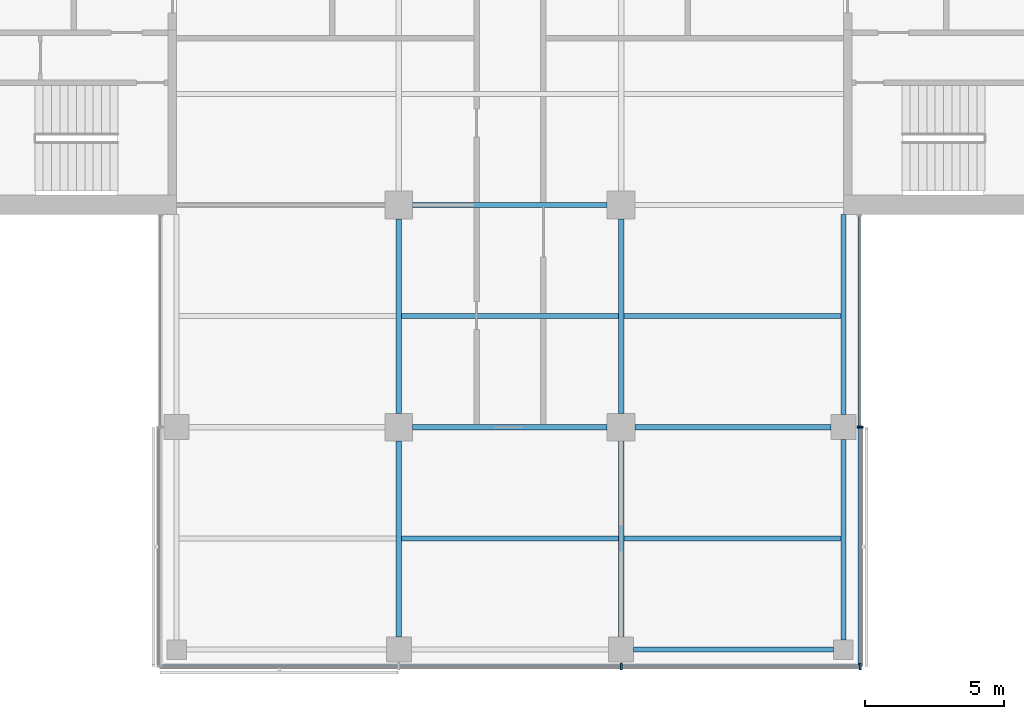
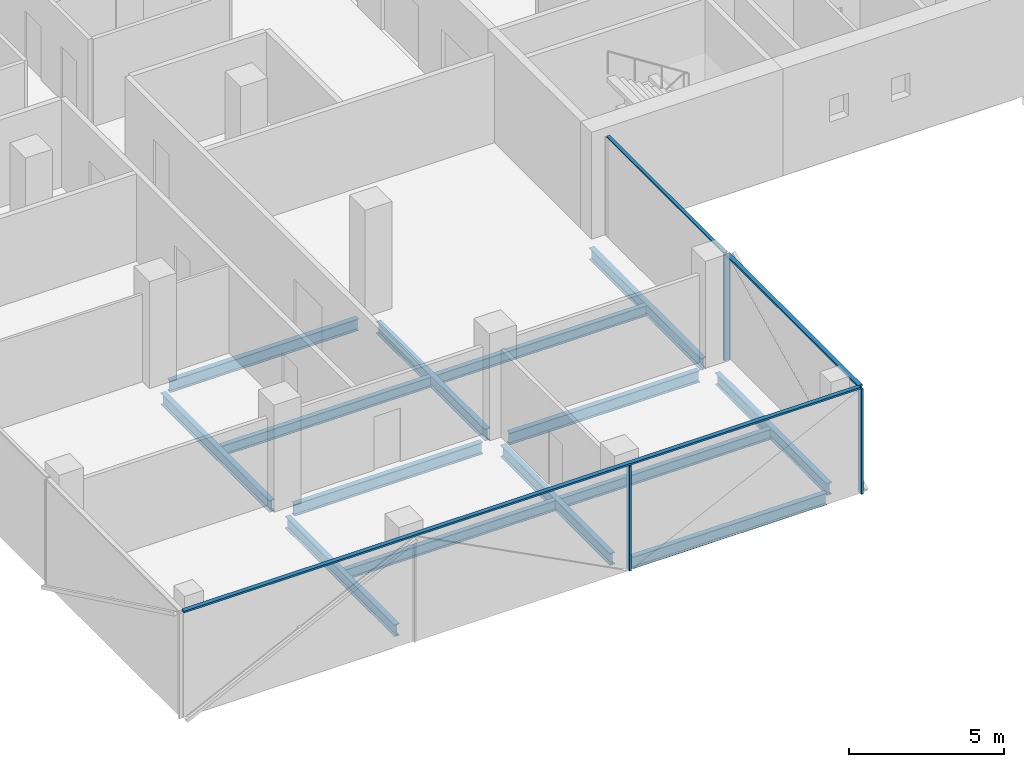
# One storey, part 5 of 22: 14 beams, 7 members, 3 elements without a shape of their own.
"""IFC4 building model written with IfcOpenShell, lengths in metres."""

from ifc_helpers import new_model, si_unit, direction, frame, origin, origin_2d, place, context, subcontext, project, spatial, rectangle, i_section, extrude, material, material_profile, profile_set, type_object, element, aggregate, save


model = new_model("IFC4")

# Units and contexts
model_context = context("Model", 3, precision=1e-05, world=origin(), true_north=direction((0.0, 1.0)))
body_context = subcontext(model_context, "Body", "Model", "MODEL_VIEW")
ifc_project = project(units=[si_unit("LENGTHUNIT", "METRE"), si_unit("AREAUNIT", "SQUARE_METRE"), si_unit("VOLUMEUNIT", "CUBIC_METRE"), si_unit("PLANEANGLEUNIT", "RADIAN"), si_unit("MASSUNIT", "GRAM", prefix="KILO")], contexts=[model_context])

# Site, building, storey
site_placement = place(None, origin())
site = spatial("IfcSite", under=ifc_project, at=site_placement, CompositionType="ELEMENT")
building_placement = place(site_placement, origin())
building = spatial("IfcBuilding", under=site, at=building_placement, Name="Crosswind Convention Tower", CompositionType="ELEMENT")
storey_placement = place(building_placement, frame((0.0, 0.0, 142.10009765625)))
storey = spatial("IfcBuildingStorey", under=building, at=storey_placement, Name="L29", CompositionType="ELEMENT", Elevation=142.10009765625)

# Beams
ifc_material_1 = material(Name="Steel S355", Category="steel")
ifc_material_profile_1 = material_profile(ifc_material_1, i_section(OverallWidth=0.18994140625, OverallDepth=0.45361328125, WebThickness=0.008544921875, FlangeThickness=0.0126953125, FilletRadius=0.01025390625, at=origin_2d()), Name="UB 457x191x67")
ifc_profile_set_1 = profile_set([ifc_material_profile_1], Name="Steel S355")
beam_type_1 = type_object("IfcBeamType", Name="Edge beam UB 457x191x67", PredefinedType="SPANDREL", material=ifc_profile_set_1)
for number, where, z_axis, x_axis, name in (
    (1, (129.449951171875, 72.0, -0.52685546875), (1.0, 0.0, 0.0), (0.0, 1.0, 0.0), "B16 L29 edge beam 14"),
    (2, (137.0, 72.35009765625, -0.52685546875), (0.0, 1.0, 0.0), (-1.0, 0.0, 0.0), "B16 L29 edge beam 16"),
    (3, (137.0, 80.449951171875, -0.52685546875), (0.0, 1.0, 0.0), (-1.0, 0.0, 0.0), "B16 L29 edge beam 17"),
):
    element("IfcBeam", number, at=place(storey_placement, frame(where, z_axis=z_axis, x_axis=x_axis)), inside=storey, type_object=beam_type_1, Name=name, PredefinedType="SPANDREL", context=body_context, shape_type="SweptSolid", body=[
        extrude(i_section(OverallWidth=0.18994140625, OverallDepth=0.45361328125, WebThickness=0.008544921875, FlangeThickness=0.0126953125, FilletRadius=0.01025390625, at=origin_2d()), origin(), (0.0, 0.0, 1.0), 7.199951171875),
    ])
ifc_material_profile_2 = material_profile(ifc_material_1, i_section(OverallWidth=0.19140625, OverallDepth=0.460205078125, WebThickness=0.010009765625, FlangeThickness=0.01611328125, FilletRadius=0.01025390625, at=origin_2d()), Name="UB 457x191x82")
ifc_profile_set_2 = profile_set([ifc_material_profile_2], Name="Steel S355")
beam_type_2 = type_object("IfcBeamType", Name="Girder UB 457x191x82", PredefinedType="BEAM", material=ifc_profile_set_2)
beam_1_placement = place(storey_placement, frame((121.0, 72.449951171875, -0.5302734375), z_axis=(0.0, 1.0, 0.0), x_axis=(-1.0, 0.0, 0.0)))
element("IfcBeam", 4, at=beam_1_placement, inside=storey, type_object=beam_type_2, Name="B3 L29 girder 3", PredefinedType="BEAM", context=body_context, shape_type="SweptSolid", body=[
    extrude(i_section(OverallWidth=0.19140625, OverallDepth=0.460205078125, WebThickness=0.010009765625, FlangeThickness=0.01611328125, FilletRadius=0.01025390625, at=origin_2d()), origin(), (0.0, 0.0, 1.0), 7.050048828125),
])
for number, where, z_axis, x_axis, name in (
    (5, (121.0, 80.5, -0.5302734375), (0.0, 1.0, 0.0), (-1.0, 0.0, 0.0), "B3 L29 girder 4"),
    (6, (121.5, 80.0, -0.5302734375), (1.0, 0.0, 0.0), (0.0, 1.0, 0.0), "B3 L29 girder 10"),
    (7, (121.5, 88.0, -0.5302734375), (1.0, 0.0, 0.0), (0.0, 1.0, 0.0), "B3 L29 girder 11"),
):
    element("IfcBeam", number, at=place(storey_placement, frame(where, z_axis=z_axis, x_axis=x_axis)), inside=storey, type_object=beam_type_2, Name=name, PredefinedType="BEAM", context=body_context, shape_type="SweptSolid", body=[
        extrude(i_section(OverallWidth=0.19140625, OverallDepth=0.460205078125, WebThickness=0.010009765625, FlangeThickness=0.01611328125, FilletRadius=0.01025390625, at=origin_2d()), origin(), (0.0, 0.0, 1.0), 7.0),
    ])
beam_2_placement = place(storey_placement, frame((129.0, 72.449951171875, -0.5302734375), z_axis=(0.0, 1.0, 0.0), x_axis=(-1.0, 0.0, 0.0)))
element("IfcBeam", 8, at=beam_2_placement, inside=storey, type_object=beam_type_2, Name="B3 L29 girder 16", PredefinedType="BEAM", context=body_context, shape_type="SweptSolid", body=[
    extrude(i_section(OverallWidth=0.19140625, OverallDepth=0.460205078125, WebThickness=0.010009765625, FlangeThickness=0.01611328125, FilletRadius=0.01025390625, at=origin_2d()), origin(), (0.0, 0.0, 1.0), 7.050048828125),
])
beam_3_placement = place(storey_placement, frame((129.0, 80.5, -0.5302734375), z_axis=(0.0, 1.0, 0.0), x_axis=(-1.0, 0.0, 0.0)))
element("IfcBeam", 9, at=beam_3_placement, inside=storey, type_object=beam_type_2, Name="B3 L29 girder 17", PredefinedType="BEAM", context=body_context, shape_type="SweptSolid", body=[
    extrude(i_section(OverallWidth=0.19140625, OverallDepth=0.460205078125, WebThickness=0.010009765625, FlangeThickness=0.01611328125, FilletRadius=0.01025390625, at=origin_2d()), origin(), (0.0, 0.0, 1.0), 7.0),
])
beam_4_placement = place(storey_placement, frame((129.5, 80.0, -0.5302734375), z_axis=(1.0, 0.0, 0.0), x_axis=(0.0, 1.0, 0.0)))
element("IfcBeam", 10, at=beam_4_placement, inside=storey, type_object=beam_type_2, Name="B3 L29 girder 23", PredefinedType="BEAM", context=body_context, shape_type="SweptSolid", body=[
    extrude(i_section(OverallWidth=0.19140625, OverallDepth=0.460205078125, WebThickness=0.010009765625, FlangeThickness=0.01611328125, FilletRadius=0.01025390625, at=origin_2d()), origin(), (0.0, 0.0, 1.0), 7.050048828125),
])

# Curtain wall, member
ifc_material_2 = material(Name="Aluminium unitised curtain wall", Category="aluminium")
curtain_wall_type_1 = type_object("IfcCurtainWallType", Name="CORE END SLOT WALL 160", PredefinedType="USERDEFINED", material=ifc_material_2)
curtain_wall_1_placement = place(storey_placement, origin())
curtain_wall_1 = element("IfcCurtainWall", 11, at=curtain_wall_1_placement, inside=storey, type_object=curtain_wall_type_1, Name="CW6 L29 S-E.1-2 slot", ObjectType="UNITISED", PredefinedType="USERDEFINED")
ifc_material_3 = material(Name="Aluminium mullion", Category="aluminium")
ifc_material_profile_3 = material_profile(ifc_material_3, rectangle(XDim=0.159912109375, YDim=0.050048828125, at=origin_2d()), Name="AL 160X50")
ifc_profile_set_3 = profile_set([ifc_material_profile_3], Name="Aluminium mullion")
member_type_1 = type_object("IfcMemberType", Name="MULLION 50X160", PredefinedType="MULLION", material=ifc_profile_set_3)
member_1_placement = place(storey_placement, frame((137.580078125, 80.02490234375, -0.300048828125), z_axis=(0.0, 0.0, 1.0), x_axis=(1.0, 0.0, 0.0)))
member_1 = element("IfcMember", 12, at=member_1_placement, type_object=member_type_1, Name="CW6 mullion 1", PredefinedType="MULLION", context=body_context, shape_type="SweptSolid", body=[
    extrude(rectangle(XDim=0.159912109375, YDim=0.050048828125, at=origin_2d()), origin(), (0.0, 0.0, 1.0), 4.14990234375),
])

# Curtain wall, members
curtain_wall_type_2 = type_object("IfcCurtainWallType", Name="OFFICE UNITISED WALL 220", PredefinedType="USERDEFINED", material=ifc_material_2)
curtain_wall_2_placement = place(storey_placement, origin())
curtain_wall_2 = element("IfcCurtainWall", 13, at=curtain_wall_2_placement, inside=storey, type_object=curtain_wall_type_2, Name="CW3 L29 S-TIP 1", ObjectType="UNITISED", PredefinedType="USERDEFINED")
ifc_material_profile_4 = material_profile(ifc_material_3, rectangle(XDim=0.219970703125, YDim=0.070068359375, at=origin_2d()), Name="AL 220X70")
ifc_profile_set_4 = profile_set([ifc_material_profile_4], Name="Aluminium mullion")
member_type_2 = type_object("IfcMemberType", Name="MULLION 70X220", PredefinedType="MULLION", material=ifc_profile_set_4)
member_2_placement = place(storey_placement, frame((129.0, 71.389892578125, -0.300048828125), z_axis=(0.0, 0.0, 1.0), x_axis=(0.0, -1.0, 0.0)))
member_2 = element("IfcMember", 14, at=member_2_placement, type_object=member_type_2, Name="CW3 mullion 3", PredefinedType="MULLION", context=body_context, shape_type="SweptSolid", body=[
    extrude(rectangle(XDim=0.219970703125, YDim=0.070068359375, at=origin_2d()), origin(), (0.0, 0.0, 1.0), 4.1298828125),
])
member_3_placement = place(storey_placement, frame((137.610107421875, 71.389892578125, -0.300048828125), z_axis=(0.0, 0.0, 1.0), x_axis=(0.0, -1.0, 0.0)))
member_3 = element("IfcMember", 15, at=member_3_placement, type_object=member_type_2, Name="CW3 mullion 4", PredefinedType="MULLION", context=body_context, shape_type="SweptSolid", body=[
    extrude(rectangle(XDim=0.219970703125, YDim=0.070068359375, at=origin_2d()), origin(), (0.0, 0.0, 1.0), 4.1298828125),
])

# Curtain wall, member
curtain_wall_3_placement = place(storey_placement, origin())
curtain_wall_3 = element("IfcCurtainWall", 16, at=curtain_wall_3_placement, inside=storey, type_object=curtain_wall_type_2, Name="CW3 L29 S-E 1", ObjectType="UNITISED", PredefinedType="USERDEFINED")
member_4_placement = place(storey_placement, frame((137.610107421875, 80.0, -0.300048828125), z_axis=(0.0, 0.0, 1.0), x_axis=(1.0, 0.0, 0.0)))
member_4 = element("IfcMember", 17, at=member_4_placement, type_object=member_type_2, Name="CW3 mullion 2", PredefinedType="MULLION", context=body_context, shape_type="SweptSolid", body=[
    extrude(rectangle(XDim=0.219970703125, YDim=0.070068359375, at=origin_2d()), origin(), (0.0, 0.0, 1.0), 4.1298828125),
])

# Beams
ifc_material_profile_5 = material_profile(ifc_material_1, i_section(OverallWidth=0.177734375, OverallDepth=0.406494140625, WebThickness=0.0078125, FlangeThickness=0.0126953125, FilletRadius=0.01025390625, at=origin_2d()), Name="UB 406x178x60")
ifc_profile_set_5 = profile_set([ifc_material_profile_5], Name="Steel S355")
beam_type_3 = type_object("IfcBeamType", Name="Secondary beam UB 406x178x60", PredefinedType="JOIST", material=ifc_profile_set_5)
for number, where, z_axis, x_axis, name in (
    (18, (121.095703125, 76.0, -0.50341796875), (1.0, 0.0, 0.0), (0.0, 1.0, 0.0), "B10 L29 secondary beam 11"),
    (19, (121.095703125, 84.0, -0.50341796875), (1.0, 0.0, 0.0), (0.0, 1.0, 0.0), "B10 L29 secondary beam 12"),
):
    element("IfcBeam", number, at=place(storey_placement, frame(where, z_axis=z_axis, x_axis=x_axis)), inside=storey, type_object=beam_type_3, Name=name, PredefinedType="JOIST", context=body_context, shape_type="SweptSolid", body=[
        extrude(i_section(OverallWidth=0.177734375, OverallDepth=0.406494140625, WebThickness=0.0078125, FlangeThickness=0.0126953125, FilletRadius=0.01025390625, at=origin_2d()), origin(), (0.0, 0.0, 1.0), 7.80859375),
    ])
for number, where, z_axis, x_axis, name in (
    (20, (129.095703125, 76.0, -0.50341796875), (1.0, 0.0, 0.0), (0.0, 1.0, 0.0), "B10 L29 secondary beam 18"),
    (21, (129.095703125, 84.0, -0.50341796875), (1.0, 0.0, 0.0), (0.0, 1.0, 0.0), "B10 L29 secondary beam 19"),
):
    element("IfcBeam", number, at=place(storey_placement, frame(where, z_axis=z_axis, x_axis=x_axis)), inside=storey, type_object=beam_type_3, Name=name, PredefinedType="JOIST", context=body_context, shape_type="SweptSolid", body=[
        extrude(i_section(OverallWidth=0.177734375, OverallDepth=0.406494140625, WebThickness=0.0078125, FlangeThickness=0.0126953125, FilletRadius=0.01025390625, at=origin_2d()), origin(), (0.0, 0.0, 1.0), 7.809326171875),
    ])

# Member
ifc_material_4 = material(Name="Aluminium transom", Category="aluminium")
ifc_material_profile_6 = material_profile(ifc_material_4, rectangle(XDim=0.1201171875, YDim=0.050048828125, at=origin_2d()), Name="AL 120X50")
ifc_profile_set_6 = profile_set([ifc_material_profile_6], Name="Aluminium transom")
member_type_3 = type_object("IfcMemberType", Name="TRANSOM 50X120", PredefinedType="USERDEFINED", material=ifc_profile_set_6)
member_5_placement = place(storey_placement, frame((137.580078125, 80.050048828125, 3.875), z_axis=(0.0, 1.0, 0.0), x_axis=(-1.0, 0.0, 0.0)))
member_5 = element("IfcMember", 22, at=member_5_placement, type_object=member_type_3, Name="CW6 transom", ObjectType="TRANSOM", PredefinedType="USERDEFINED", context=body_context, shape_type="SweptSolid", body=[
    extrude(rectangle(XDim=0.1201171875, YDim=0.050048828125, at=origin_2d()), origin(), (0.0, 0.0, 1.0), 7.550048828125),
])

aggregate(curtain_wall_1, [member_1, member_5])

ifc_material_profile_7 = material_profile(ifc_material_4, rectangle(XDim=0.159912109375, YDim=0.070068359375, at=origin_2d()), Name="AL 160X70")
ifc_profile_set_7 = profile_set([ifc_material_profile_7], Name="Aluminium transom")
member_type_4 = type_object("IfcMemberType", Name="TRANSOM 70X160", PredefinedType="USERDEFINED", material=ifc_profile_set_7)
member_6_placement = place(storey_placement, frame((112.425048828125, 71.389892578125, 3.864990234375), z_axis=(1.0, 0.0, 0.0), x_axis=(0.0, 1.0, 0.0)))
member_6 = element("IfcMember", 23, at=member_6_placement, type_object=member_type_4, Name="CW3 transom", ObjectType="TRANSOM", PredefinedType="USERDEFINED", context=body_context, shape_type="SweptSolid", body=[
    extrude(rectangle(XDim=0.159912109375, YDim=0.070068359375, at=origin_2d()), origin(), (0.0, 0.0, 1.0), 25.14990234375),
])

aggregate(curtain_wall_2, [member_2, member_3, member_6])

member_7_placement = place(storey_placement, frame((137.610107421875, 71.425048828125, 3.864990234375), z_axis=(0.0, 1.0, 0.0), x_axis=(-1.0, 0.0, 0.0)))
member_7 = element("IfcMember", 24, at=member_7_placement, type_object=member_type_4, Name="CW3 transom", ObjectType="TRANSOM", PredefinedType="USERDEFINED", context=body_context, shape_type="SweptSolid", body=[
    extrude(rectangle(XDim=0.159912109375, YDim=0.070068359375, at=origin_2d()), origin(), (0.0, 0.0, 1.0), 8.5400390625),
])

aggregate(curtain_wall_3, [member_4, member_7])

save(model, "model.ifc")
